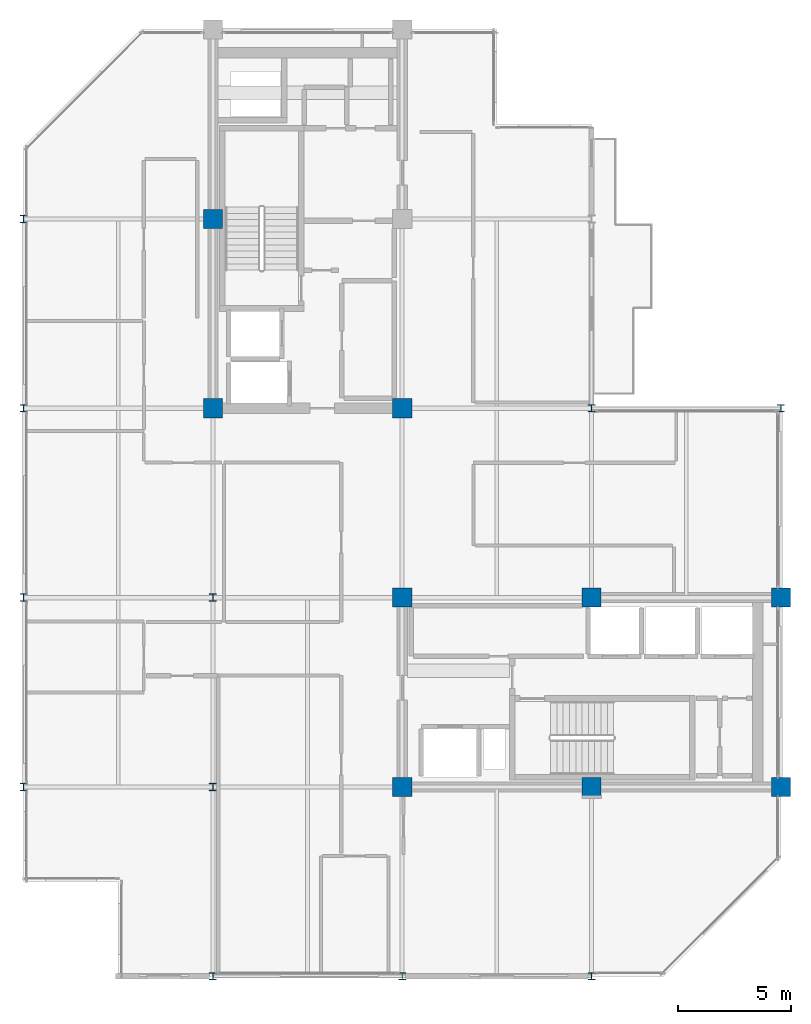
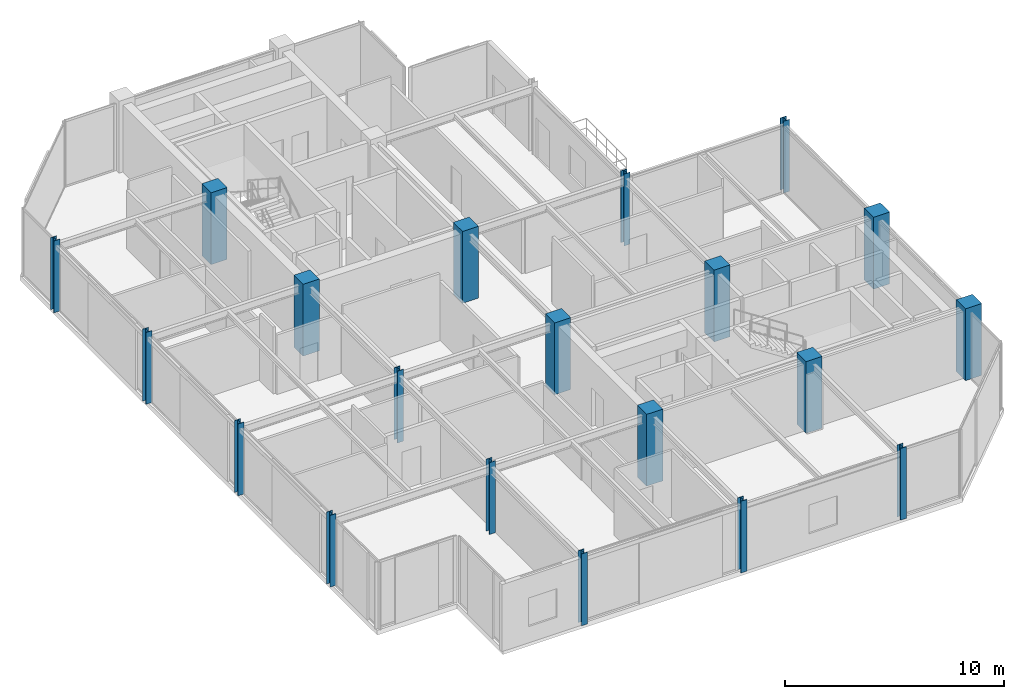
# One storey, part 1 of 24: 20 columns.
"""IFC4 building model written with IfcOpenShell, lengths in metres."""

from ifc_helpers import new_model, si_unit, direction, frame, origin, origin_2d, place, context, subcontext, project, spatial, rectangle, i_section, extrude, material, material_profile, profile_set, type_object, element, save


model = new_model("IFC4")

# Units and contexts
model_context = context("Model", 3, precision=1e-05, world=origin(), true_north=direction((0.0, 1.0)))
body_context = subcontext(model_context, "Body", "Model", "MODEL_VIEW")
ifc_project = project(units=[si_unit("LENGTHUNIT", "METRE"), si_unit("AREAUNIT", "SQUARE_METRE"), si_unit("VOLUMEUNIT", "CUBIC_METRE"), si_unit("PLANEANGLEUNIT", "RADIAN"), si_unit("MASSUNIT", "GRAM", prefix="KILO")], contexts=[model_context])

# Site, building, storey
site_placement = place(None, origin())
site = spatial("IfcSite", under=ifc_project, at=site_placement, CompositionType="ELEMENT")
building_placement = place(site_placement, origin())
building = spatial("IfcBuilding", under=site, at=building_placement, Name="Nerrivon Quay Data Exchange", CompositionType="ELEMENT")
storey_placement = place(building_placement, frame((0.0, 0.0, 306.199951171875)))
storey = spatial("IfcBuildingStorey", under=building, at=storey_placement, Name="L73", CompositionType="ELEMENT", Elevation=306.199951171875)

# Columns
ifc_material_1 = material(Name="Concrete N50 (50 MPa)", Category="concrete")
ifc_material_profile_1 = material_profile(ifc_material_1, rectangle(XDim=0.85009765625, YDim=0.85009765625, at=origin_2d()), Name="RC-COL-850x850")
ifc_profile_set_1 = profile_set([ifc_material_profile_1], Name="Concrete N50 (50 MPa)")
column_type_1 = type_object("IfcColumnType", Name="COL-C5-850", PredefinedType="COLUMN", material=ifc_profile_set_1)
for number, where, z_axis, x_axis, name in (
    (1, (8.39990234375, 25.199951171875, 0.0), (0.0, 0.0, 1.0), (1.0, 0.0, 0.0), "L73 Column (8.4,25.2)"),
    (2, (8.39990234375, 33.60009765625, 0.0), (0.0, 0.0, 1.0), (1.0, 0.0, 0.0), "L73 Column (8.4,33.6)"),
    (3, (16.800048828125, 8.39990234375, 0.0), (0.0, 0.0, 1.0), (1.0, 0.0, 0.0), "L73 Column (16.8,8.4)"),
    (4, (16.800048828125, 16.800048828125, 0.0), (0.0, 0.0, 1.0), (1.0, 0.0, 0.0), "L73 Column (16.8,16.8)"),
    (5, (16.800048828125, 25.199951171875, 0.0), (0.0, 0.0, 1.0), (1.0, 0.0, 0.0), "L73 Column (16.8,25.2)"),
    (6, (25.199951171875, 8.39990234375, 0.0), (0.0, 0.0, 1.0), (1.0, 0.0, 0.0), "L73 Column (25.2,8.4)"),
    (7, (25.199951171875, 16.800048828125, 0.0), (0.0, 0.0, 1.0), (1.0, 0.0, 0.0), "L73 Column (25.2,16.8)"),
    (8, (33.60009765625, 8.39990234375, 0.0), (0.0, 0.0, 1.0), (1.0, 0.0, 0.0), "L73 Column (33.6,8.4)"),
    (9, (33.60009765625, 16.800048828125, 0.0), (0.0, 0.0, 1.0), (1.0, 0.0, 0.0), "L73 Column (33.6,16.8)"),
):
    element("IfcColumn", number, at=place(storey_placement, frame(where, z_axis=z_axis, x_axis=x_axis)), inside=storey, type_object=column_type_1, Name=name, PredefinedType="COLUMN", context=body_context, shape_type="SweptSolid", body=[
        extrude(rectangle(XDim=0.85009765625, YDim=0.85009765625, at=origin_2d()), origin(), (0.0, 0.0, 1.0), 4.0),
    ])
ifc_material_2 = material(Name="Steel Grade 350", Category="steel")
ifc_material_profile_2 = material_profile(ifc_material_2, i_section(OverallWidth=0.31103515625, OverallDepth=0.326904296875, WebThickness=0.015625, FlangeThickness=0.02490234375, FilletRadius=0.0166015625, at=origin_2d()), Name="310UC158")
ifc_profile_set_2 = profile_set([ifc_material_profile_2], Name="Steel Grade 350")
column_type_2 = type_object("IfcColumnType", Name="COL-SC4-310UC158", PredefinedType="COLUMN", material=ifc_profile_set_2)
for number, where, z_axis, x_axis, name in (
    (10, (0.0, 8.39990234375, 0.0), (0.0, 0.0, 1.0), (1.0, 0.0, 0.0), "L73 Column (0.0,8.4)"),
    (11, (0.0, 16.800048828125, 0.0), (0.0, 0.0, 1.0), (1.0, 0.0, 0.0), "L73 Column (0.0,16.8)"),
    (12, (0.0, 25.199951171875, 0.0), (0.0, 0.0, 1.0), (1.0, 0.0, 0.0), "L73 Column (0.0,25.2)"),
    (13, (0.0, 33.60009765625, 0.0), (0.0, 0.0, 1.0), (1.0, 0.0, 0.0), "L73 Column (0.0,33.6)"),
    (14, (8.39990234375, 0.0, 0.0), (0.0, 0.0, 1.0), (1.0, 0.0, 0.0), "L73 Column (8.4,0.0)"),
    (15, (8.39990234375, 8.39990234375, 0.0), (0.0, 0.0, 1.0), (1.0, 0.0, 0.0), "L73 Column (8.4,8.4)"),
    (16, (8.39990234375, 16.800048828125, 0.0), (0.0, 0.0, 1.0), (1.0, 0.0, 0.0), "L73 Column (8.4,16.8)"),
    (17, (16.800048828125, 0.0, 0.0), (0.0, 0.0, 1.0), (1.0, 0.0, 0.0), "L73 Column (16.8,0.0)"),
    (18, (25.199951171875, 0.0, 0.0), (0.0, 0.0, 1.0), (1.0, 0.0, 0.0), "L73 Column (25.2,0.0)"),
    (19, (25.199951171875, 25.199951171875, 0.0), (0.0, 0.0, 1.0), (1.0, 0.0, 0.0), "L73 Column (25.2,25.2)"),
    (20, (33.60009765625, 25.199951171875, 0.0), (0.0, 0.0, 1.0), (1.0, 0.0, 0.0), "L73 Column (33.6,25.2)"),
):
    element("IfcColumn", number, at=place(storey_placement, frame(where, z_axis=z_axis, x_axis=x_axis)), inside=storey, type_object=column_type_2, Name=name, PredefinedType="COLUMN", context=body_context, shape_type="SweptSolid", body=[
        extrude(i_section(OverallWidth=0.31103515625, OverallDepth=0.326904296875, WebThickness=0.015625, FlangeThickness=0.02490234375, FilletRadius=0.0166015625, at=origin_2d()), origin(), (0.0, 0.0, 1.0), 4.0),
    ])

save(model, "model.ifc")
